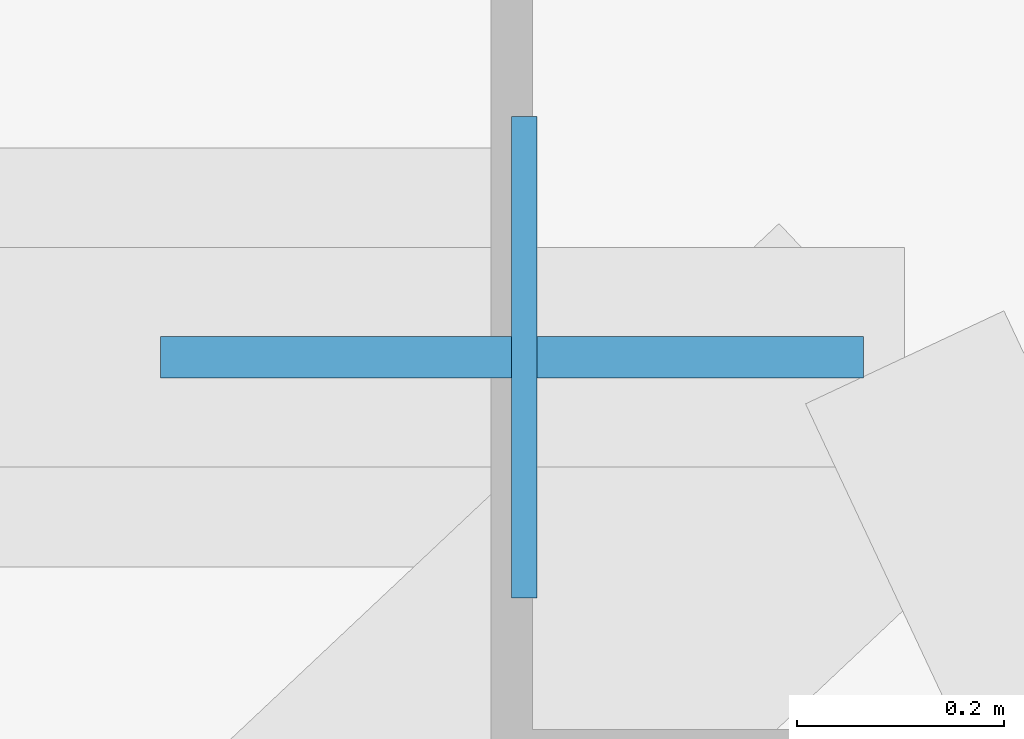
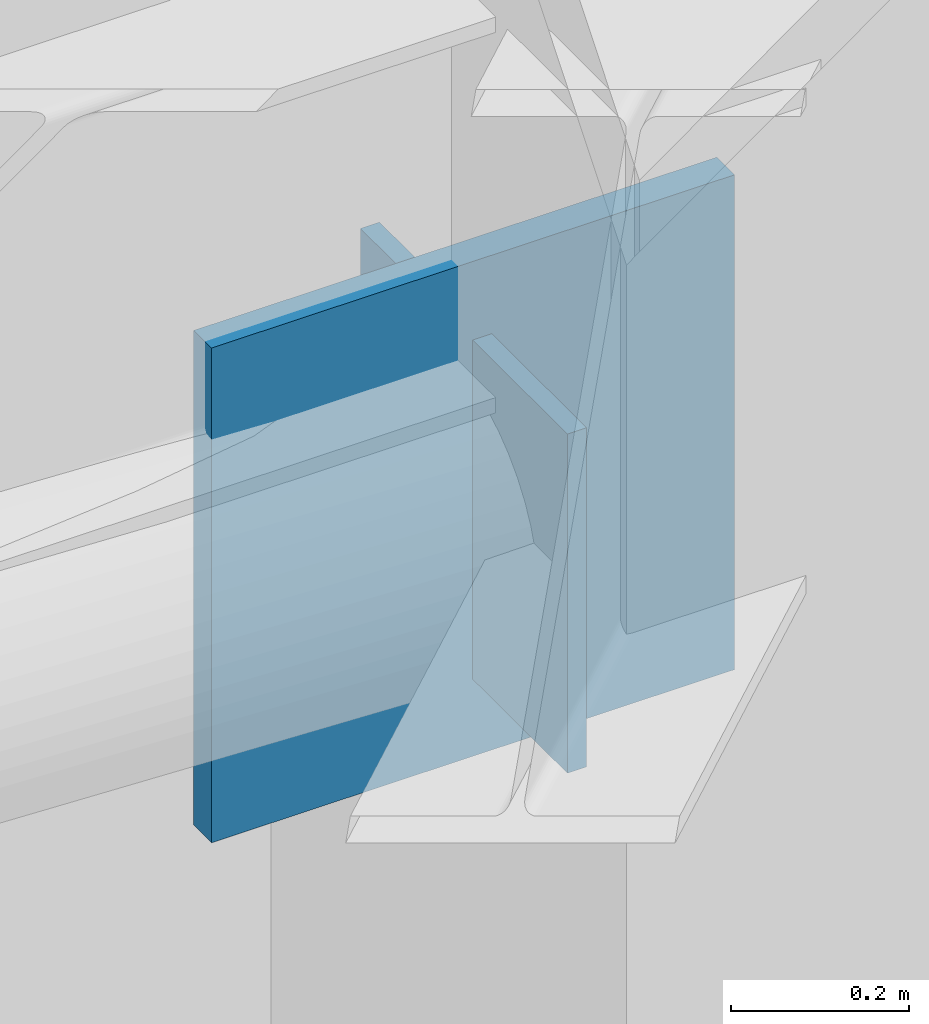
# One storey, part 4 of 12: 2 plates.
"""IFC4 building model written with IfcOpenShell, lengths in metres."""

from ifc_helpers import new_model, si_unit, direction, frame, origin, origin_2d, place, context, subcontext, project, spatial, rectangle, extrude, material, layer, layer_set, type_object, element, save


model = new_model("IFC4")

# Units and contexts
model_context = context("Model", 3, precision=1e-05, world=origin(), true_north=direction((0.0, 1.0)))
body_context = subcontext(model_context, "Body", "Model", "MODEL_VIEW")
ifc_project = project(units=[si_unit("LENGTHUNIT", "METRE"), si_unit("AREAUNIT", "SQUARE_METRE"), si_unit("VOLUMEUNIT", "CUBIC_METRE"), si_unit("PLANEANGLEUNIT", "RADIAN"), si_unit("MASSUNIT", "GRAM", prefix="KILO")], contexts=[model_context])

# Site, building, storey
site_placement = place(None, origin())
site = spatial("IfcSite", under=ifc_project, at=site_placement, CompositionType="ELEMENT")
building_placement = place(site_placement, origin())
building = spatial("IfcBuilding", under=site, at=building_placement, Name="Khamvora Tower", CompositionType="ELEMENT")
storey_placement = place(building_placement, frame((0.0, 0.0, 199.699951171875)))
storey = spatial("IfcBuildingStorey", under=building, at=storey_placement, Name="L51", CompositionType="ELEMENT", Elevation=199.699951171875)

# Plates
ifc_material_1 = material(Name="Steel S355", Category="steel")
ifc_layer_1 = layer(ifc_material_1, 0.02490234375)
ifc_layer_set_1 = layer_set([ifc_layer_1], Name="Steel S355")
plate_type_1 = type_object("IfcPlateType", Name="PL-CAP-25", PredefinedType="SHEET", material=ifc_layer_set_1)
plate_1_placement = place(storey_placement, frame((56.382080078125, 44.5, 2.4609375), z_axis=(0.0, 0.0, 1.0), x_axis=(-1.0, 0.0, 0.0)))
element("IfcPlate", 1, at=plate_1_placement, inside=storey, type_object=plate_type_1, Name="L51 hollow section steel end cap plate 0986", PredefinedType="SHEET", context=body_context, shape_type="SweptSolid", body=[
    extrude(rectangle(XDim=0.02490234375, YDim=0.466064453125, at=origin_2d()), origin(), (0.0, 0.0, 1.0), 0.466064453125),
])
ifc_material_2 = material(Name="Steel S460", Category="steel")
ifc_layer_2 = layer(ifc_material_2, 0.0400390625)
ifc_layer_set_2 = layer_set([ifc_layer_2], Name="Steel S460")
plate_type_2 = type_object("IfcPlateType", Name="PLT-GUS-40", PredefinedType="SHEET", material=ifc_layer_set_2)
plate_2_placement = place(storey_placement, frame((56.3701171875, 44.5, 2.35498046875), z_axis=(0.0, 0.0, 1.0), x_axis=(1.0, 0.0, 0.0)))
element("IfcPlate", 2, at=plate_2_placement, inside=storey, type_object=plate_type_2, Name="L51 brace connection node gusset plate 0323", PredefinedType="SHEET", context=body_context, shape_type="SweptSolid", body=[
    extrude(rectangle(XDim=0.679931640625, YDim=0.0400390625, at=origin_2d()), origin(), (0.0, 0.0, 1.0), 0.679931640625),
])

save(model, "model.ifc")
